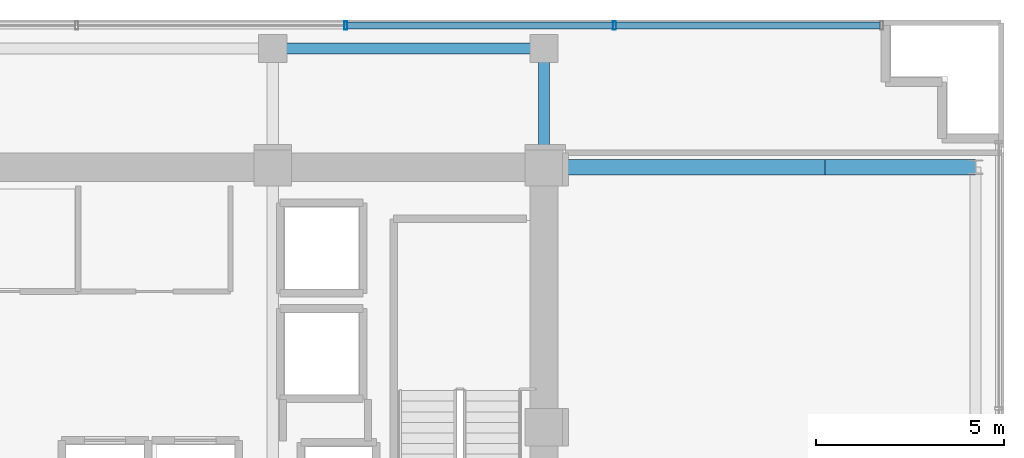
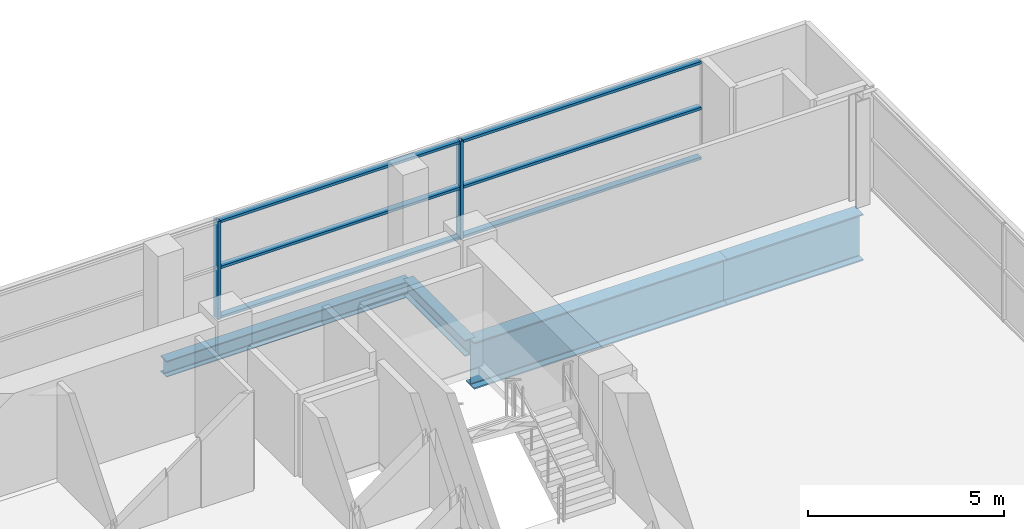
# One storey, part 13 of 23: 8 members, 4 beams, 1 element without a shape of its own.
"""IFC4 building model written with IfcOpenShell, lengths in metres."""

import ifcopenshell
import ifcopenshell.guid

model = None  # the IFC model being written
_history = None  # IfcOwnerHistory: only IFC2X3 demands one
_inside = {}  # id of a spatial element -> (the spatial element, [elements in it])
_under = {}  # id of a project, library or spatial element -> (it, [spatial elements below it])
_declared = {}  # id of a project -> (the project, [libraries it declares])
_typed = {}  # id of a type object -> (the type object, [elements of that type])
_made_of = {}  # id of a material, layer set ... -> (it, [elements and type objects made of it])


def new_model(schema):
    """Start an empty IFC model of exactly this schema.

    Asked for "IFC4X3", IfcOpenShell would pick the latest addendum, in which some entities
    have other attributes; the version numbers below select the first issue.
    IFC2X3 requires an IfcOwnerHistory on every rooted entity: one is made here for all.
    """
    global model, _history
    if schema == "IFC4X3":
        model = ifcopenshell.file(schema_version=(4, 3, 0, 0))
    else:
        model = ifcopenshell.file(schema=schema)
    _inside.clear()
    _under.clear()
    _declared.clear()
    _typed.clear()
    _made_of.clear()
    _history = None
    if model.schema == "IFC2X3":
        org = make("IfcOrganization", Name="unknown")
        user = make(
            "IfcPersonAndOrganization",
            ThePerson=make("IfcPerson", FamilyName="unknown"),
            TheOrganization=org,
        )
        app = make(
            "IfcApplication",
            ApplicationDeveloper=org,
            Version="unknown",
            ApplicationFullName="unknown",
            ApplicationIdentifier="unknown",
        )
        _history = make(
            "IfcOwnerHistory",
            OwningUser=user,
            OwningApplication=app,
            ChangeAction="ADDED",
            CreationDate=0,
        )
    return model


def make(cls, **values):
    """One entity of the class cls with the attributes given. An attribute that is None is left unset."""
    return model.create_entity(
        cls, **{name: value for name, value in values.items() if value is not None}
    )


def rooted(cls, **values):
    """An entity with a GlobalId (a new one), such as an element, a storey or a relation."""
    return make(cls, GlobalId=ifcopenshell.guid.new(), OwnerHistory=_history, **values)


def si_unit(unit_type, name, prefix=None):
    """IfcSIUnit, for example si_unit("LENGTHUNIT", "METRE", prefix="MILLI")."""
    return make("IfcSIUnit", UnitType=unit_type, Prefix=prefix, Name=name)


def assignment(units):
    """IfcUnitAssignment: the units of a project."""
    return None if units is None else make("IfcUnitAssignment", Units=units)


def point(xyz):
    """IfcCartesianPoint."""
    return None if xyz is None else make("IfcCartesianPoint", Coordinates=xyz)


def direction(xyz):
    """IfcDirection."""
    return None if xyz is None else make("IfcDirection", DirectionRatios=xyz)


def frame(location, z_axis=None, x_axis=None):
    """IfcAxis2Placement3D, a coordinate frame: its origin and axes. An axis left out is left unset."""
    return make(
        "IfcAxis2Placement3D",
        Location=point(location),
        Axis=direction(z_axis),
        RefDirection=direction(x_axis),
    )


def frame_2d(location, x_axis=None):
    """IfcAxis2Placement2D, a coordinate frame in the plane: its origin and x axis."""
    return make(
        "IfcAxis2Placement2D", Location=point(location), RefDirection=direction(x_axis)
    )


def origin():
    """The frame at (0, 0, 0) with its axes left unset."""
    return frame((0.0, 0.0, 0.0))


def origin_2d():
    """The frame at (0, 0) in the plane with its x axis left unset."""
    return frame_2d((0.0, 0.0))


def place(relative_to, where):
    """IfcLocalPlacement: puts the frame where relative to a parent placement (None: the world)."""
    return make(
        "IfcLocalPlacement", PlacementRelTo=relative_to, RelativePlacement=where
    )


def context(
    kind, dimensions, precision=None, world=None, true_north=None, identifier=None
):
    """IfcGeometricRepresentationContext, for example the 3D "Model" context."""
    return make(
        "IfcGeometricRepresentationContext",
        ContextIdentifier=identifier,
        ContextType=kind,
        CoordinateSpaceDimension=dimensions,
        Precision=precision,
        WorldCoordinateSystem=world,
        TrueNorth=true_north,
    )


def subcontext(parent, identifier, kind, view, scale=None):
    """IfcGeometricRepresentationSubContext, for example "Body" below "Model"."""
    return make(
        "IfcGeometricRepresentationSubContext",
        ContextIdentifier=identifier,
        ContextType=kind,
        ParentContext=parent,
        TargetScale=scale,
        TargetView=view,
    )


def project(units=None, contexts=None):
    """IfcProject with its units and contexts."""
    return rooted(
        "IfcProject",
        Name="project",
        RepresentationContexts=contexts,
        UnitsInContext=assignment(units),
    )


def spatial(cls, under=None, at=None, **own):
    """A site, building, storey or space (cls), placed at a placement, below another one or the project."""
    s = rooted(cls, ObjectPlacement=at, **own)
    if under is not None:
        _under.setdefault(under.id(), (under, []))[1].append(s)
    return s


def profile(cls, at=None, kind="AREA", **sizes):
    """A parametric profile (cls). Its sizes go by their IFC names, for example OverallWidth=200.0."""
    return make(cls, ProfileType=kind, Position=at, **sizes)


def hollow_rectangle(**sizes):
    """IfcRectangleHollowProfileDef."""
    return profile("IfcRectangleHollowProfileDef", **sizes)


def i_section(**sizes):
    """IfcIShapeProfileDef."""
    return profile("IfcIShapeProfileDef", **sizes)


def extrude(swept, where, along, depth):
    """IfcExtrudedAreaSolid: the profile swept, set in the frame where, extruded along a direction by depth."""
    return make(
        "IfcExtrudedAreaSolid",
        SweptArea=swept,
        Position=where,
        ExtrudedDirection=direction(along),
        Depth=depth,
    )


def shape(context_of_items, identifier, shape_type, items):
    """IfcShapeRepresentation: the items that make up one representation, for example the "Body"."""
    return make(
        "IfcShapeRepresentation",
        ContextOfItems=context_of_items,
        RepresentationIdentifier=identifier,
        RepresentationType=shape_type,
        Items=items,
    )


def source(mapping_origin, context_of_items, identifier, shape_type, items):
    """IfcRepresentationMap: a shape defined once, which mapped items show again and again."""
    return make(
        "IfcRepresentationMap",
        MappingOrigin=mapping_origin,
        MappedRepresentation=shape(context_of_items, identifier, shape_type, items),
    )


def transform(
    local_origin,
    x_axis=None,
    y_axis=None,
    z_axis=None,
    scale=None,
    scale2=None,
    scale3=None,
    uniform=True,
):
    """IfcCartesianTransformationOperator3D, or its non-uniform kind. x_axis, y_axis, z_axis: its Axis1, 2, 3."""
    if uniform:
        return make(
            "IfcCartesianTransformationOperator3D",
            Axis1=direction(x_axis),
            Axis2=direction(y_axis),
            LocalOrigin=point(local_origin),
            Scale=scale,
            Axis3=direction(z_axis),
        )
    return make(
        "IfcCartesianTransformationOperator3DnonUniform",
        Axis1=direction(x_axis),
        Axis2=direction(y_axis),
        LocalOrigin=point(local_origin),
        Scale=scale,
        Axis3=direction(z_axis),
        Scale2=scale2,
        Scale3=scale3,
    )


def mapped(mapping_source, mapping_target):
    """IfcMappedItem: shows the shape of a source again, moved by a transform."""
    return make(
        "IfcMappedItem", MappingSource=mapping_source, MappingTarget=mapping_target
    )


def material(Name=None, Category=None):
    """IfcMaterial."""
    return make("IfcMaterial", Name=Name, Category=Category)


def layer(
    of_material, thickness, ventilated=None, Name=None, Category=None, Priority=None
):
    """IfcMaterialLayer: one layer of a wall or slab, of a material (None: an air gap)."""
    return make(
        "IfcMaterialLayer",
        Material=of_material,
        LayerThickness=thickness,
        IsVentilated=ventilated,
        Name=Name,
        Category=Category,
        Priority=Priority,
    )


def layer_set(layers, Name=None):
    """IfcMaterialLayerSet."""
    return make("IfcMaterialLayerSet", MaterialLayers=layers, LayerSetName=Name)


def material_profile(
    of_material, cross_section, Name=None, Category=None, Priority=None
):
    """IfcMaterialProfile: a cross section and its material."""
    return make(
        "IfcMaterialProfile",
        Name=Name,
        Material=of_material,
        Profile=cross_section,
        Priority=Priority,
        Category=Category,
    )


def profile_set(profiles, Name=None, composite=None):
    """IfcMaterialProfileSet."""
    return make(
        "IfcMaterialProfileSet",
        Name=Name,
        MaterialProfiles=profiles,
        CompositeProfile=composite,
    )


def made_of(thing, what):
    """Note that an element or type object is made of a material, layer set ...; save() writes the relation."""
    if what is not None:
        _made_of.setdefault(what.id(), (what, []))[1].append(thing)
    return thing


def type_object(cls, material=None, **own):
    """A type object (cls), such as IfcWallType, which elements share."""
    return made_of(rooted(cls, **own), material)


def element(
    cls,
    number,
    at=None,
    inside=None,
    cuts=None,
    type_object=None,
    material=None,
    context=None,
    identifier="Body",
    shape_type=None,
    held_by="IfcProductDefinitionShape",
    body=None,
    shapes=None,
    **own,
):
    """One element of the class cls, such as IfcWall. Its Tag is "e" and its number.

    at: its placement. inside: the storey or other place that contains it. cuts: it is an
    opening in that element (IfcRelVoidsElement). A single representation is given by context,
    identifier, shape_type and body (its items); several are given by shapes. held_by: the class
    of the entity that holds the representations. save() writes the other relations.
    """
    e = rooted(cls, Tag="e%d" % number, ObjectPlacement=at, **own)
    if body is not None:
        shapes = [shape(context, identifier, shape_type, body)]
    if shapes is not None:
        e.Representation = make(held_by, Representations=shapes)
    if inside is not None:
        _inside.setdefault(inside.id(), (inside, []))[1].append(e)
    if cuts is not None:
        rooted(
            "IfcRelVoidsElement", RelatingBuildingElement=cuts, RelatedOpeningElement=e
        )
    if type_object is not None:
        _typed.setdefault(type_object.id(), (type_object, []))[1].append(e)
    return made_of(e, material)


def aggregate(whole, parts):
    """IfcRelAggregates: a whole, such as a stair, and the parts it consists of."""
    return rooted("IfcRelAggregates", RelatingObject=whole, RelatedObjects=parts)


def save(model, path):
    """Write the relations noted so far, then the file.

    IfcRelAggregates (storeys below a building ...), IfcRelContainedInSpatialStructure (elements
    in a storey), IfcRelDefinesByType, IfcRelAssociatesMaterial and IfcRelDeclares: one each for
    every whole, place, type object, material and project.
    """
    for whole, parts in _under.values():
        aggregate(whole, parts)
    for where, things in _inside.values():
        rooted(
            "IfcRelContainedInSpatialStructure",
            RelatedElements=things,
            RelatingStructure=where,
        )
    for kind, things in _typed.values():
        rooted("IfcRelDefinesByType", RelatedObjects=things, RelatingType=kind)
    for what, things in _made_of.values():
        rooted("IfcRelAssociatesMaterial", RelatedObjects=things, RelatingMaterial=what)
    for by, libraries in _declared.values():
        rooted("IfcRelDeclares", RelatingContext=by, RelatedDefinitions=libraries)
    model.write(path)


model = new_model("IFC4")

# Units and contexts
model_context = context("Model", 3, precision=1e-05, world=origin(), true_north=direction((0.0, 1.0)))
body_context = subcontext(model_context, "Body", "Model", "MODEL_VIEW")
ifc_project = project(units=[si_unit("LENGTHUNIT", "METRE"), si_unit("AREAUNIT", "SQUARE_METRE"), si_unit("VOLUMEUNIT", "CUBIC_METRE"), si_unit("PLANEANGLEUNIT", "RADIAN"), si_unit("MASSUNIT", "GRAM", prefix="KILO")], contexts=[model_context])

# Site, building, storey
site_placement = place(None, origin())
site = spatial("IfcSite", under=ifc_project, at=site_placement, CompositionType="ELEMENT")
building_placement = place(site_placement, origin())
building = spatial("IfcBuilding", under=site, at=building_placement, Name="Zarnakvel Exchange Tower", CompositionType="ELEMENT")
storey_placement = place(building_placement, frame((0.0, 0.0, 172.60009765625)))
storey = spatial("IfcBuildingStorey", under=building, at=storey_placement, Name="L48", CompositionType="ELEMENT", Elevation=172.60009765625)

# Beams
ifc_material_1 = material(Name="Steel S355", Category="steel")
ifc_material_profile_1 = material_profile(ifc_material_1, i_section(OverallWidth=0.300048828125, OverallDepth=0.5, WebThickness=0.014404296875, FlangeThickness=0.028076171875, FilletRadius=0.027099609375, at=origin_2d()))
ifc_profile_set_1 = profile_set([ifc_material_profile_1], Name="Steel S355")
beam_type_1 = type_object("IfcBeamType", Name="G-06", PredefinedType="BEAM", material=ifc_profile_set_1)
beam_1_placement = place(storey_placement, frame((14.39990234375, 13.5, -0.47509765625), z_axis=(0.0, 1.0, 0.0), x_axis=(-1.0, 0.0, 0.0)))
element("IfcBeam", 1, at=beam_1_placement, inside=storey, type_object=beam_type_1, Name="L48 Tower N-S Frame Beam", PredefinedType="BEAM", context=body_context, shape_type="SweptSolid", body=[
    extrude(i_section(OverallWidth=0.300048828125, OverallDepth=0.5, WebThickness=0.014404296875, FlangeThickness=0.028076171875, FilletRadius=0.027099609375, at=origin_2d()), origin(), (0.0, 0.0, 1.0), 3.14990234375),
])
ifc_material_profile_2 = material_profile(ifc_material_1, i_section(OverallWidth=0.300048828125, OverallDepth=0.5, WebThickness=0.014404296875, FlangeThickness=0.028076171875, FilletRadius=0.027099609375, at=origin_2d()))
ifc_profile_set_2 = profile_set([ifc_material_profile_2], Name="Steel S355")
beam_type_2 = type_object("IfcBeamType", Name="SP-02", PredefinedType="SPANDREL", material=ifc_profile_set_2)
beam_2_placement = place(storey_placement, frame((7.199951171875, 16.64990234375, -0.47509765625), z_axis=(1.0, 0.0, 0.0), x_axis=(0.0, 1.0, 0.0)))
element("IfcBeam", 2, at=beam_2_placement, inside=storey, type_object=beam_type_2, Name="L48 Tower E-W Frame Beam", PredefinedType="SPANDREL", context=body_context, shape_type="SweptSolid", body=[
    extrude(i_section(OverallWidth=0.300048828125, OverallDepth=0.5, WebThickness=0.014404296875, FlangeThickness=0.028076171875, FilletRadius=0.027099609375, at=origin_2d()), origin(), (0.0, 0.0, 1.0), 7.199951171875),
])
ifc_material_2 = material(Name="Steel S460", Category="steel")
ifc_material_profile_3 = material_profile(ifc_material_2, i_section(OverallWidth=0.419921875, OverallDepth=1.449951171875, WebThickness=0.02392578125, FlangeThickness=0.0400390625, FilletRadius=0.030029296875, at=origin_2d()))
ifc_profile_set_3 = profile_set([ifc_material_profile_3], Name="Steel S460")
beam_type_3 = type_object("IfcBeamType", Name="TG-01", PredefinedType="BEAM", material=ifc_profile_set_3)
beam_3_placement = place(storey_placement, frame((14.39990234375, 13.5, -0.9501953125), z_axis=(1.0, 0.0, 0.0), x_axis=(0.0, 1.0, 0.0)))
element("IfcBeam", 3, at=beam_3_placement, inside=storey, type_object=beam_type_3, Name="L48 Block-Shift Backspan Transfer TE-F", PredefinedType="BEAM", context=body_context, shape_type="SweptSolid", body=[
    extrude(i_section(OverallWidth=0.419921875, OverallDepth=1.449951171875, WebThickness=0.02392578125, FlangeThickness=0.0400390625, FilletRadius=0.030029296875, at=origin_2d()), origin(), (0.0, 0.0, 1.0), 7.4501953125),
])
beam_4_placement = place(storey_placement, frame((21.85009765625, 13.5, -0.9501953125), z_axis=(1.0, 0.0, 0.0), x_axis=(0.0, 1.0, 0.0)))
element("IfcBeam", 4, at=beam_4_placement, inside=storey, type_object=beam_type_3, Name="L48 Block-Shift Cantilever Transfer TE-F", PredefinedType="BEAM", context=body_context, shape_type="SweptSolid", body=[
    extrude(i_section(OverallWidth=0.419921875, OverallDepth=1.449951171875, WebThickness=0.02392578125, FlangeThickness=0.0400390625, FilletRadius=0.030029296875, at=origin_2d()), origin(), (0.0, 0.0, 1.0), 4.0),
])

# Curtain wall, members
ifc_material_3 = material(Name="Architectural Bronze Anodised Aluminium", Category="aluminium")
ifc_layer = layer(ifc_material_3, 0.219970703125)
ifc_layer_set = layer_set([ifc_layer], Name="Architectural Bronze Anodised Aluminium")
curtain_wall_type = type_object("IfcCurtainWallType", Name="CW-03", PredefinedType="NOTDEFINED", material=ifc_layer_set)
curtain_wall_placement = place(storey_placement, origin())
curtain_wall = element("IfcCurtainWall", 5, at=curtain_wall_placement, inside=storey, type_object=curtain_wall_type, Name="L48 Curtain Wall CW-L48-N1 (CW-03)", PredefinedType="NOTDEFINED")
ifc_material_profile_4 = material_profile(ifc_material_3, hollow_rectangle(XDim=0.219970703125, YDim=0.080078125, WallThickness=0.0048828125, at=origin_2d()))
ifc_profile_set_4 = profile_set([ifc_material_profile_4], Name="Architectural Bronze Anodised Aluminium")
member_type_1 = type_object("IfcMemberType", Name="CWM-03", PredefinedType="MULLION", material=ifc_profile_set_4)
shared_shape_1 = source(origin(), body_context, "Body", "SweptSolid", [
    extrude(hollow_rectangle(XDim=0.219970703125, YDim=0.080078125, WallThickness=0.0048828125, at=origin_2d()), origin(), (0.0, 0.0, 1.0), 3.054931640625),
])
member_1_placement = place(storey_placement, frame((9.13330078125, 17.260009765625, 0.0), z_axis=(0.0, 0.0, 1.0), x_axis=(0.0, 1.0, 0.0)))
member_1 = element("IfcMember", 6, at=member_1_placement, type_object=member_type_1, Name="CW-03 mullion 5", PredefinedType="MULLION", context=body_context, shape_type="MappedRepresentation", body=[
    mapped(shared_shape_1, transform((0.0, 0.0, 0.0), x_axis=(1.0, 0.0, 0.0), y_axis=(0.0, 1.0, 0.0), z_axis=(0.0, 0.0, 1.0), scale=1.0)),
])
member_2_placement = place(storey_placement, frame((16.2666015625, 17.260009765625, 0.0), z_axis=(0.0, 0.0, 1.0), x_axis=(0.0, 1.0, 0.0)))
member_2 = element("IfcMember", 7, at=member_2_placement, type_object=member_type_1, Name="CW-03 mullion 6", PredefinedType="MULLION", context=body_context, shape_type="MappedRepresentation", body=[
    mapped(shared_shape_1, transform((0.0, 0.0, 0.0), x_axis=(1.0, 0.0, 0.0), y_axis=(0.0, 1.0, 0.0), z_axis=(0.0, 0.0, 1.0), scale=1.0)),
])
ifc_material_profile_5 = material_profile(ifc_material_3, hollow_rectangle(XDim=0.179931640625, YDim=0.080078125, WallThickness=0.00390625, at=origin_2d()))
ifc_profile_set_5 = profile_set([ifc_material_profile_5], Name="Architectural Bronze Anodised Aluminium")
member_type_2 = type_object("IfcMemberType", Name="CWT-03", PredefinedType="USERDEFINED", material=ifc_profile_set_5)
shared_shape_2 = source(origin(), body_context, "Body", "SweptSolid", [
    extrude(hollow_rectangle(XDim=0.179931640625, YDim=0.080078125, WallThickness=0.00390625, at=origin_2d()), origin(), (0.0, 0.0, 1.0), 7.013427734375),
])
member_3_placement = place(storey_placement, frame((16.306640625, 17.260009765625, 0.039794921875), z_axis=(1.0, 0.0, 0.0), x_axis=(0.0, 1.0, 0.0)))
member_3 = element("IfcMember", 8, at=member_3_placement, type_object=member_type_2, Name="CW-03 transom 6.1", ObjectType="TRANSOM", PredefinedType="USERDEFINED", context=body_context, shape_type="MappedRepresentation", body=[
    mapped(shared_shape_2, transform((0.0, 0.0, 0.0), x_axis=(1.0, 0.0, 0.0), y_axis=(0.0, 1.0, 0.0), z_axis=(0.0, 0.0, 1.0), scale=1.0)),
])
member_4_placement = place(storey_placement, frame((16.306640625, 17.260009765625, 1.588623046875), z_axis=(1.0, 0.0, 0.0), x_axis=(0.0, 1.0, 0.0)))
member_4 = element("IfcMember", 9, at=member_4_placement, type_object=member_type_2, Name="CW-03 transom 6.2", ObjectType="TRANSOM", PredefinedType="USERDEFINED", context=body_context, shape_type="MappedRepresentation", body=[
    mapped(shared_shape_2, transform((0.0, 0.0, 0.0), x_axis=(1.0, 0.0, 0.0), y_axis=(0.0, 1.0, 0.0), z_axis=(0.0, 0.0, 1.0), scale=1.0)),
])
member_5_placement = place(storey_placement, frame((16.306640625, 17.260009765625, 3.014892578125), z_axis=(1.0, 0.0, 0.0), x_axis=(0.0, 1.0, 0.0)))
member_5 = element("IfcMember", 10, at=member_5_placement, type_object=member_type_2, Name="CW-03 transom 6.3", ObjectType="TRANSOM", PredefinedType="USERDEFINED", context=body_context, shape_type="MappedRepresentation", body=[
    mapped(shared_shape_2, transform((0.0, 0.0, 0.0), x_axis=(1.0, 0.0, 0.0), y_axis=(0.0, 1.0, 0.0), z_axis=(0.0, 0.0, 1.0), scale=1.0)),
])
shared_shape_3 = source(origin(), body_context, "Body", "SweptSolid", [
    extrude(hollow_rectangle(XDim=0.179931640625, YDim=0.080078125, WallThickness=0.00390625, at=origin_2d()), origin(), (0.0, 0.0, 1.0), 7.05322265625),
])
member_6_placement = place(storey_placement, frame((9.17333984375, 17.260009765625, 0.039794921875), z_axis=(1.0, 0.0, 0.0), x_axis=(0.0, 1.0, 0.0)))
member_6 = element("IfcMember", 11, at=member_6_placement, type_object=member_type_2, Name="CW-03 transom 5.1", ObjectType="TRANSOM", PredefinedType="USERDEFINED", context=body_context, shape_type="MappedRepresentation", body=[
    mapped(shared_shape_3, transform((0.0, 0.0, 0.0), x_axis=(1.0, 0.0, 0.0), y_axis=(0.0, 1.0, 0.0), z_axis=(0.0, 0.0, 1.0), scale=1.0)),
])
member_7_placement = place(storey_placement, frame((9.17333984375, 17.260009765625, 1.588623046875), z_axis=(1.0, 0.0, 0.0), x_axis=(0.0, 1.0, 0.0)))
member_7 = element("IfcMember", 12, at=member_7_placement, type_object=member_type_2, Name="CW-03 transom 5.2", ObjectType="TRANSOM", PredefinedType="USERDEFINED", context=body_context, shape_type="MappedRepresentation", body=[
    mapped(shared_shape_3, transform((0.0, 0.0, 0.0), x_axis=(1.0, 0.0, 0.0), y_axis=(0.0, 1.0, 0.0), z_axis=(0.0, 0.0, 1.0), scale=1.0)),
])
member_8_placement = place(storey_placement, frame((9.17333984375, 17.260009765625, 3.014892578125), z_axis=(1.0, 0.0, 0.0), x_axis=(0.0, 1.0, 0.0)))
member_8 = element("IfcMember", 13, at=member_8_placement, type_object=member_type_2, Name="CW-03 transom 5.3", ObjectType="TRANSOM", PredefinedType="USERDEFINED", context=body_context, shape_type="MappedRepresentation", body=[
    mapped(shared_shape_3, transform((0.0, 0.0, 0.0), x_axis=(1.0, 0.0, 0.0), y_axis=(0.0, 1.0, 0.0), z_axis=(0.0, 0.0, 1.0), scale=1.0)),
])
aggregate(curtain_wall, [member_1, member_2, member_6, member_7, member_8, member_3, member_4, member_5])

save(model, "model.ifc")
